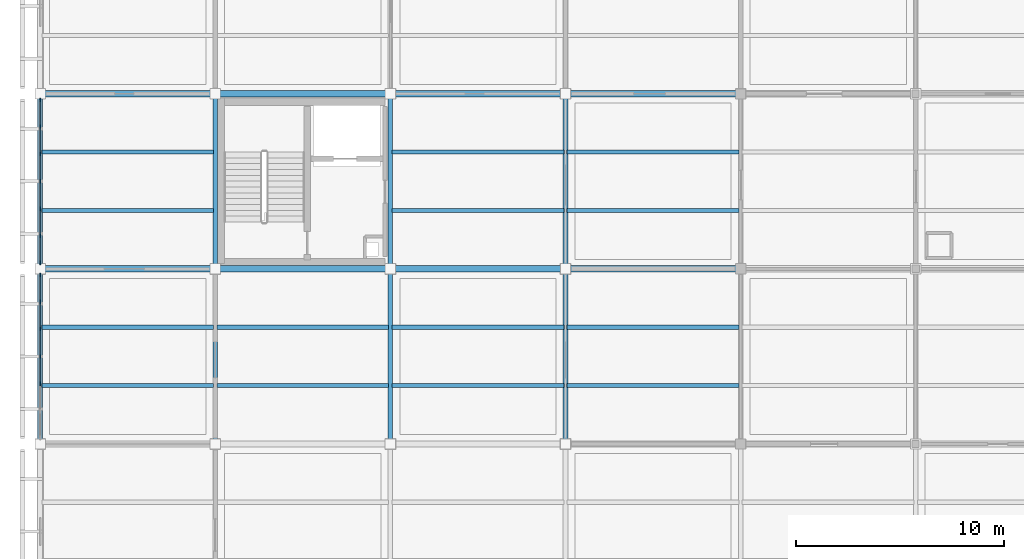
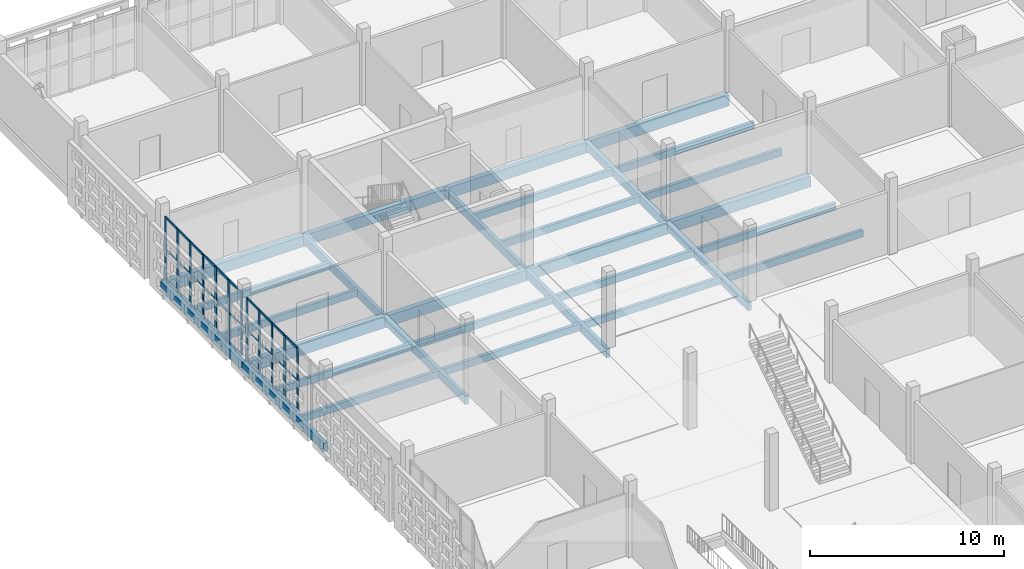
# One storey, part 45 of 203: 42 members, 30 beams, 2 elements without a shape of their own.
"""IFC4 building model written with IfcOpenShell, lengths in metres."""

from ifc_helpers import new_model, si_unit, direction, frame, origin, origin_2d, place, context, subcontext, project, spatial, rectangle, extrude, material, layer, layer_set, material_profile, profile_set, type_object, element, aggregate, save


model = new_model("IFC4")

# Units and contexts
model_context = context("Model", 3, precision=1e-05, world=origin(), true_north=direction((0.0, 1.0)))
body_context = subcontext(model_context, "Body", "Model", "MODEL_VIEW")
ifc_project = project(units=[si_unit("LENGTHUNIT", "METRE"), si_unit("AREAUNIT", "SQUARE_METRE"), si_unit("VOLUMEUNIT", "CUBIC_METRE"), si_unit("PLANEANGLEUNIT", "RADIAN"), si_unit("MASSUNIT", "GRAM", prefix="KILO")], contexts=[model_context])

# Site, building, storey
site_placement = place(None, origin())
site = spatial("IfcSite", under=ifc_project, at=site_placement, CompositionType="ELEMENT")
building_placement = place(site_placement, origin())
building = spatial("IfcBuilding", under=site, at=building_placement, Name="Varnapada Polytechnic", CompositionType="ELEMENT")
storey_placement = place(building_placement, frame((0.0, 0.0, 4.800048828125)))
storey = spatial("IfcBuildingStorey", under=building, at=storey_placement, Name="L01", CompositionType="ELEMENT", Elevation=4.800048828125)

# Beams
ifc_material_1 = material(Name="Glulam GL32h", Category="wood")
ifc_material_profile_1 = material_profile(ifc_material_1, rectangle(XDim=0.199951171875, YDim=0.43994140625, at=origin_2d()), Name="GL 200x440")
ifc_profile_set_1 = profile_set([ifc_material_profile_1], Name="Glulam GL32h")
beam_type_1 = type_object("IfcBeamType", Name="Heavy laboratory glulam joist GJ-03 (GL 200x440)", PredefinedType="JOIST", material=ifc_profile_set_1)
for number, where, z_axis, x_axis, name in (
    (1, (0.080078125, 95.199951171875, -0.469970703125), (1.0, 0.0, 0.0), (0.0, 1.0, 0.0), "L01 floor joist 1/12.1"),
    (2, (0.080078125, 98.0, -0.469970703125), (1.0, 0.0, 0.0), (0.0, 1.0, 0.0), "L01 floor joist 1/12.2"),
    (3, (0.080078125, 103.60009765625, -0.469970703125), (1.0, 0.0, 0.0), (0.0, 1.0, 0.0), "L01 floor joist 1/13.1"),
    (4, (0.080078125, 106.39990234375, -0.469970703125), (1.0, 0.0, 0.0), (0.0, 1.0, 0.0), "L01 floor joist 1/13.2"),
    (5, (8.47998046875, 95.199951171875, -0.469970703125), (1.0, 0.0, 0.0), (0.0, 1.0, 0.0), "L01 floor joist 2/12.1"),
    (6, (8.47998046875, 98.0, -0.469970703125), (1.0, 0.0, 0.0), (0.0, 1.0, 0.0), "L01 floor joist 2/12.2"),
):
    element("IfcBeam", number, at=place(storey_placement, frame(where, z_axis=z_axis, x_axis=x_axis)), inside=storey, type_object=beam_type_1, Name=name, PredefinedType="JOIST", context=body_context, shape_type="SweptSolid", body=[
        extrude(rectangle(XDim=0.199951171875, YDim=0.43994140625, at=origin_2d()), origin(), (0.0, 0.0, 1.0), 8.239990234375),
    ])
for number, where, z_axis, x_axis, name in (
    (7, (16.8798828125, 95.199951171875, -0.469970703125), (1.0, 0.0, 0.0), (0.0, 1.0, 0.0), "L01 floor joist 3/12.1"),
    (8, (16.8798828125, 98.0, -0.469970703125), (1.0, 0.0, 0.0), (0.0, 1.0, 0.0), "L01 floor joist 3/12.2"),
    (9, (16.8798828125, 103.60009765625, -0.469970703125), (1.0, 0.0, 0.0), (0.0, 1.0, 0.0), "L01 floor joist 3/13.1"),
    (10, (16.8798828125, 106.39990234375, -0.469970703125), (1.0, 0.0, 0.0), (0.0, 1.0, 0.0), "L01 floor joist 3/13.2"),
):
    element("IfcBeam", number, at=place(storey_placement, frame(where, z_axis=z_axis, x_axis=x_axis)), inside=storey, type_object=beam_type_1, Name=name, PredefinedType="JOIST", context=body_context, shape_type="SweptSolid", body=[
        extrude(rectangle(XDim=0.199951171875, YDim=0.43994140625, at=origin_2d()), origin(), (0.0, 0.0, 1.0), 8.240234375),
    ])
for number, where, z_axis, x_axis, name in (
    (11, (25.280029296875, 95.199951171875, -0.469970703125), (1.0, 0.0, 0.0), (0.0, 1.0, 0.0), "L01 floor joist 4/12.1"),
    (12, (25.280029296875, 98.0, -0.469970703125), (1.0, 0.0, 0.0), (0.0, 1.0, 0.0), "L01 floor joist 4/12.2"),
    (13, (25.280029296875, 103.60009765625, -0.469970703125), (1.0, 0.0, 0.0), (0.0, 1.0, 0.0), "L01 floor joist 4/13.1"),
    (14, (25.280029296875, 106.39990234375, -0.469970703125), (1.0, 0.0, 0.0), (0.0, 1.0, 0.0), "L01 floor joist 4/13.2"),
):
    element("IfcBeam", number, at=place(storey_placement, frame(where, z_axis=z_axis, x_axis=x_axis)), inside=storey, type_object=beam_type_1, Name=name, PredefinedType="JOIST", context=body_context, shape_type="SweptSolid", body=[
        extrude(rectangle(XDim=0.199951171875, YDim=0.43994140625, at=origin_2d()), origin(), (0.0, 0.0, 1.0), 8.239990234375),
    ])
ifc_material_profile_2 = material_profile(ifc_material_1, rectangle(XDim=0.219970703125, YDim=0.52001953125, at=origin_2d()), Name="GL 220x520")
ifc_profile_set_2 = profile_set([ifc_material_profile_2], Name="Glulam GL32h")
beam_type_2 = type_object("IfcBeamType", Name="Laboratory transverse glulam beam GB-12 (GL 220x520)", PredefinedType="BEAM", material=ifc_profile_set_2)
beam_1_placement = place(storey_placement, frame((8.39990234375, 92.39990234375, -0.510009765625), z_axis=(0.0, 1.0, 0.0), x_axis=(-1.0, 0.0, 0.0)))
element("IfcBeam", 15, at=beam_1_placement, inside=storey, type_object=beam_type_2, Name="L01 beam Y 12-13 at X2", PredefinedType="BEAM", context=body_context, shape_type="SweptSolid", body=[
    extrude(rectangle(XDim=0.219970703125, YDim=0.52001953125, at=origin_2d()), origin(), (0.0, 0.0, 1.0), 8.400146484375),
])
beam_2_placement = place(storey_placement, frame((8.39990234375, 100.800048828125, -0.510009765625), z_axis=(0.0, 1.0, 0.0), x_axis=(-1.0, 0.0, 0.0)))
element("IfcBeam", 16, at=beam_2_placement, inside=storey, type_object=beam_type_2, Name="L01 beam Y 13-14 at X2", PredefinedType="BEAM", context=body_context, shape_type="SweptSolid", body=[
    extrude(rectangle(XDim=0.219970703125, YDim=0.52001953125, at=origin_2d()), origin(), (0.0, 0.0, 1.0), 8.39990234375),
])
beam_3_placement = place(storey_placement, frame((16.800048828125, 92.39990234375, -0.510009765625), z_axis=(0.0, 1.0, 0.0), x_axis=(-1.0, 0.0, 0.0)))
element("IfcBeam", 17, at=beam_3_placement, inside=storey, type_object=beam_type_2, Name="L01 beam Y 12-13 at X3", PredefinedType="BEAM", context=body_context, shape_type="SweptSolid", body=[
    extrude(rectangle(XDim=0.219970703125, YDim=0.52001953125, at=origin_2d()), origin(), (0.0, 0.0, 1.0), 8.400146484375),
])
beam_4_placement = place(storey_placement, frame((16.800048828125, 100.800048828125, -0.510009765625), z_axis=(0.0, 1.0, 0.0), x_axis=(-1.0, 0.0, 0.0)))
element("IfcBeam", 18, at=beam_4_placement, inside=storey, type_object=beam_type_2, Name="L01 beam Y 13-14 at X3", PredefinedType="BEAM", context=body_context, shape_type="SweptSolid", body=[
    extrude(rectangle(XDim=0.219970703125, YDim=0.52001953125, at=origin_2d()), origin(), (0.0, 0.0, 1.0), 8.39990234375),
])
beam_5_placement = place(storey_placement, frame((25.199951171875, 92.39990234375, -0.510009765625), z_axis=(0.0, 1.0, 0.0), x_axis=(-1.0, 0.0, 0.0)))
element("IfcBeam", 19, at=beam_5_placement, inside=storey, type_object=beam_type_2, Name="L01 beam Y 12-13 at X4", PredefinedType="BEAM", context=body_context, shape_type="SweptSolid", body=[
    extrude(rectangle(XDim=0.219970703125, YDim=0.52001953125, at=origin_2d()), origin(), (0.0, 0.0, 1.0), 8.400146484375),
])
beam_6_placement = place(storey_placement, frame((25.199951171875, 100.800048828125, -0.510009765625), z_axis=(0.0, 1.0, 0.0), x_axis=(-1.0, 0.0, 0.0)))
element("IfcBeam", 20, at=beam_6_placement, inside=storey, type_object=beam_type_2, Name="L01 beam Y 13-14 at X4", PredefinedType="BEAM", context=body_context, shape_type="SweptSolid", body=[
    extrude(rectangle(XDim=0.219970703125, YDim=0.52001953125, at=origin_2d()), origin(), (0.0, 0.0, 1.0), 8.39990234375),
])

# Curtain wall, members
ifc_material_2 = material(Name="Double low-E laminated glass", Category="glass")
ifc_layer = layer(ifc_material_2, 0.179931640625)
ifc_layer_set = layer_set([ifc_layer], Name="Double low-E laminated glass")
curtain_wall_type = type_object("IfcCurtainWallType", Name="Curtain Wall CW-03", PredefinedType="NOTDEFINED", material=ifc_layer_set)
curtain_wall_1_placement = place(storey_placement, origin())
curtain_wall_1 = element("IfcCurtainWall", 21, at=curtain_wall_1_placement, inside=storey, type_object=curtain_wall_type, Name="L01 unitised curtain wall CW-03 (24)", PredefinedType="NOTDEFINED")
ifc_material_3 = material(Name="Anodised aluminium", Category="aluminium")
ifc_material_profile_3 = material_profile(ifc_material_3, rectangle(XDim=0.06494140625, YDim=0.179931640625, at=origin_2d()), Name="ALU M65x180")
ifc_profile_set_3 = profile_set([ifc_material_profile_3], Name="Anodised aluminium")
member_type_1 = type_object("IfcMemberType", Name="Mullion M-02", PredefinedType="MULLION", material=ifc_profile_set_3)
member_1_placement = place(storey_placement, frame((0.0, 95.28662109375, 0.0), z_axis=(0.0, 0.0, 1.0), x_axis=(-1.0, 0.0, 0.0)))
member_1 = element("IfcMember", 22, at=member_1_placement, type_object=member_type_1, Name="CW-03 mullion 3", PredefinedType="MULLION", context=body_context, shape_type="SweptSolid", body=[
    extrude(rectangle(XDim=0.06494140625, YDim=0.179931640625, at=origin_2d()), origin(), (0.0, 0.0, 1.0), 3.9599609375),
])
member_2_placement = place(storey_placement, frame((0.0, 96.60009765625, 0.0), z_axis=(0.0, 0.0, 1.0), x_axis=(-1.0, 0.0, 0.0)))
member_2 = element("IfcMember", 23, at=member_2_placement, type_object=member_type_1, Name="CW-03 mullion 4", PredefinedType="MULLION", context=body_context, shape_type="SweptSolid", body=[
    extrude(rectangle(XDim=0.06494140625, YDim=0.179931640625, at=origin_2d()), origin(), (0.0, 0.0, 1.0), 3.9599609375),
])
member_3_placement = place(storey_placement, frame((0.0, 97.913330078125, 0.0), z_axis=(0.0, 0.0, 1.0), x_axis=(-1.0, 0.0, 0.0)))
member_3 = element("IfcMember", 24, at=member_3_placement, type_object=member_type_1, Name="CW-03 mullion 5", PredefinedType="MULLION", context=body_context, shape_type="SweptSolid", body=[
    extrude(rectangle(XDim=0.06494140625, YDim=0.179931640625, at=origin_2d()), origin(), (0.0, 0.0, 1.0), 3.9599609375),
])
member_4_placement = place(storey_placement, frame((0.0, 99.2265625, 0.0), z_axis=(0.0, 0.0, 1.0), x_axis=(-1.0, 0.0, 0.0)))
member_4 = element("IfcMember", 25, at=member_4_placement, type_object=member_type_1, Name="CW-03 mullion 6", PredefinedType="MULLION", context=body_context, shape_type="SweptSolid", body=[
    extrude(rectangle(XDim=0.06494140625, YDim=0.179931640625, at=origin_2d()), origin(), (0.0, 0.0, 1.0), 3.9599609375),
])
member_5_placement = place(storey_placement, frame((0.0, 100.507568359375, 0.0), z_axis=(0.0, 0.0, 1.0), x_axis=(-1.0, 0.0, 0.0)))
member_5 = element("IfcMember", 26, at=member_5_placement, type_object=member_type_1, Name="CW-03 mullion 7", PredefinedType="MULLION", context=body_context, shape_type="SweptSolid", body=[
    extrude(rectangle(XDim=0.06494140625, YDim=0.179931640625, at=origin_2d()), origin(), (0.0, 0.0, 1.0), 3.9599609375),
])

curtain_wall_2_placement = place(storey_placement, origin())
curtain_wall_2 = element("IfcCurtainWall", 27, at=curtain_wall_2_placement, inside=storey, type_object=curtain_wall_type, Name="L01 unitised curtain wall CW-03 (25)", PredefinedType="NOTDEFINED")
member_6_placement = place(storey_placement, frame((0.0, 101.092529296875, 0.0), z_axis=(0.0, 0.0, 1.0), x_axis=(-1.0, 0.0, 0.0)))
member_6 = element("IfcMember", 28, at=member_6_placement, type_object=member_type_1, Name="CW-03 mullion 1", PredefinedType="MULLION", context=body_context, shape_type="SweptSolid", body=[
    extrude(rectangle(XDim=0.06494140625, YDim=0.179931640625, at=origin_2d()), origin(), (0.0, 0.0, 1.0), 3.9599609375),
])
member_7_placement = place(storey_placement, frame((0.0, 102.373291015625, 0.0), z_axis=(0.0, 0.0, 1.0), x_axis=(-1.0, 0.0, 0.0)))
member_7 = element("IfcMember", 29, at=member_7_placement, type_object=member_type_1, Name="CW-03 mullion 2", PredefinedType="MULLION", context=body_context, shape_type="SweptSolid", body=[
    extrude(rectangle(XDim=0.06494140625, YDim=0.179931640625, at=origin_2d()), origin(), (0.0, 0.0, 1.0), 3.9599609375),
])
member_8_placement = place(storey_placement, frame((0.0, 103.686767578125, 0.0), z_axis=(0.0, 0.0, 1.0), x_axis=(-1.0, 0.0, 0.0)))
member_8 = element("IfcMember", 30, at=member_8_placement, type_object=member_type_1, Name="CW-03 mullion 3", PredefinedType="MULLION", context=body_context, shape_type="SweptSolid", body=[
    extrude(rectangle(XDim=0.06494140625, YDim=0.179931640625, at=origin_2d()), origin(), (0.0, 0.0, 1.0), 3.9599609375),
])
member_9_placement = place(storey_placement, frame((0.0, 105.0, 0.0), z_axis=(0.0, 0.0, 1.0), x_axis=(-1.0, 0.0, 0.0)))
member_9 = element("IfcMember", 31, at=member_9_placement, type_object=member_type_1, Name="CW-03 mullion 4", PredefinedType="MULLION", context=body_context, shape_type="SweptSolid", body=[
    extrude(rectangle(XDim=0.06494140625, YDim=0.179931640625, at=origin_2d()), origin(), (0.0, 0.0, 1.0), 3.9599609375),
])
member_10_placement = place(storey_placement, frame((0.0, 106.313232421875, 0.0), z_axis=(0.0, 0.0, 1.0), x_axis=(-1.0, 0.0, 0.0)))
member_10 = element("IfcMember", 32, at=member_10_placement, type_object=member_type_1, Name="CW-03 mullion 5", PredefinedType="MULLION", context=body_context, shape_type="SweptSolid", body=[
    extrude(rectangle(XDim=0.06494140625, YDim=0.179931640625, at=origin_2d()), origin(), (0.0, 0.0, 1.0), 3.9599609375),
])
member_11_placement = place(storey_placement, frame((0.0, 107.626708984375, 0.0), z_axis=(0.0, 0.0, 1.0), x_axis=(-1.0, 0.0, 0.0)))
member_11 = element("IfcMember", 33, at=member_11_placement, type_object=member_type_1, Name="CW-03 mullion 6", PredefinedType="MULLION", context=body_context, shape_type="SweptSolid", body=[
    extrude(rectangle(XDim=0.06494140625, YDim=0.179931640625, at=origin_2d()), origin(), (0.0, 0.0, 1.0), 3.9599609375),
])
member_12_placement = place(storey_placement, frame((0.0, 108.907470703125, 0.0), z_axis=(0.0, 0.0, 1.0), x_axis=(-1.0, 0.0, 0.0)))
member_12 = element("IfcMember", 34, at=member_12_placement, type_object=member_type_1, Name="CW-03 mullion 7", PredefinedType="MULLION", context=body_context, shape_type="SweptSolid", body=[
    extrude(rectangle(XDim=0.06494140625, YDim=0.179931640625, at=origin_2d()), origin(), (0.0, 0.0, 1.0), 3.9599609375),
])

# Beams
ifc_material_profile_4 = material_profile(ifc_material_1, rectangle(XDim=0.239990234375, YDim=0.56005859375, at=origin_2d()), Name="GL 240x560")
ifc_profile_set_4 = profile_set([ifc_material_profile_4], Name="Glulam GL32h")
beam_type_3 = type_object("IfcBeamType", Name="Perimeter glulam spandrel beam SP-02 (GL 240x560)", PredefinedType="SPANDREL", material=ifc_profile_set_4)
beam_7_placement = place(storey_placement, frame((0.0, 92.39990234375, -0.530029296875), z_axis=(0.0, 1.0, 0.0), x_axis=(-1.0, 0.0, 0.0)))
element("IfcBeam", 35, at=beam_7_placement, inside=storey, type_object=beam_type_3, Name="L01 beam Y 12-13 at X1", PredefinedType="SPANDREL", context=body_context, shape_type="SweptSolid", body=[
    extrude(rectangle(XDim=0.239990234375, YDim=0.56005859375, at=origin_2d()), origin(), (0.0, 0.0, 1.0), 8.400146484375),
])
beam_8_placement = place(storey_placement, frame((0.0, 100.800048828125, -0.530029296875), z_axis=(0.0, 1.0, 0.0), x_axis=(-1.0, 0.0, 0.0)))
element("IfcBeam", 36, at=beam_8_placement, inside=storey, type_object=beam_type_3, Name="L01 beam Y 13-14 at X1", PredefinedType="SPANDREL", context=body_context, shape_type="SweptSolid", body=[
    extrude(rectangle(XDim=0.239990234375, YDim=0.56005859375, at=origin_2d()), origin(), (0.0, 0.0, 1.0), 8.39990234375),
])

# Member
ifc_material_profile_5 = material_profile(ifc_material_3, rectangle(XDim=0.06494140625, YDim=0.139892578125, at=origin_2d()), Name="ALU T65x140")
ifc_profile_set_5 = profile_set([ifc_material_profile_5], Name="Anodised aluminium")
member_type_2 = type_object("IfcMemberType", Name="Transom T-02", PredefinedType="USERDEFINED", material=ifc_profile_set_5)
member_13_placement = place(storey_placement, frame((0.0, 95.319091796875, 0.032470703125), z_axis=(0.0, 1.0, 0.0), x_axis=(-1.0, 0.0, 0.0)))
member_13 = element("IfcMember", 37, at=member_13_placement, type_object=member_type_2, Name="CW-03 transom 3.1", ObjectType="TRANSOM", PredefinedType="USERDEFINED", context=body_context, shape_type="SweptSolid", body=[
    extrude(rectangle(XDim=0.06494140625, YDim=0.139892578125, at=origin_2d()), origin(), (0.0, 0.0, 1.0), 1.248291015625),
])

member_14_placement = place(storey_placement, frame((0.0, 95.319091796875, 1.900634765625), z_axis=(0.0, 1.0, 0.0), x_axis=(-1.0, 0.0, 0.0)))
member_14 = element("IfcMember", 38, at=member_14_placement, type_object=member_type_2, Name="CW-03 transom 3.2", ObjectType="TRANSOM", PredefinedType="USERDEFINED", context=body_context, shape_type="SweptSolid", body=[
    extrude(rectangle(XDim=0.06494140625, YDim=0.139892578125, at=origin_2d()), origin(), (0.0, 0.0, 1.0), 1.248291015625),
])

member_15_placement = place(storey_placement, frame((0.0, 95.319091796875, 3.927490234375), z_axis=(0.0, 1.0, 0.0), x_axis=(-1.0, 0.0, 0.0)))
member_15 = element("IfcMember", 39, at=member_15_placement, type_object=member_type_2, Name="CW-03 transom 3.3", ObjectType="TRANSOM", PredefinedType="USERDEFINED", context=body_context, shape_type="SweptSolid", body=[
    extrude(rectangle(XDim=0.06494140625, YDim=0.139892578125, at=origin_2d()), origin(), (0.0, 0.0, 1.0), 1.248291015625),
])

member_16_placement = place(storey_placement, frame((0.0, 96.632568359375, 0.032470703125), z_axis=(0.0, 1.0, 0.0), x_axis=(-1.0, 0.0, 0.0)))
member_16 = element("IfcMember", 40, at=member_16_placement, type_object=member_type_2, Name="CW-03 transom 4.1", ObjectType="TRANSOM", PredefinedType="USERDEFINED", context=body_context, shape_type="SweptSolid", body=[
    extrude(rectangle(XDim=0.06494140625, YDim=0.139892578125, at=origin_2d()), origin(), (0.0, 0.0, 1.0), 1.248291015625),
])

member_17_placement = place(storey_placement, frame((0.0, 96.632568359375, 1.900634765625), z_axis=(0.0, 1.0, 0.0), x_axis=(-1.0, 0.0, 0.0)))
member_17 = element("IfcMember", 41, at=member_17_placement, type_object=member_type_2, Name="CW-03 transom 4.2", ObjectType="TRANSOM", PredefinedType="USERDEFINED", context=body_context, shape_type="SweptSolid", body=[
    extrude(rectangle(XDim=0.06494140625, YDim=0.139892578125, at=origin_2d()), origin(), (0.0, 0.0, 1.0), 1.248291015625),
])

member_18_placement = place(storey_placement, frame((0.0, 96.632568359375, 3.927490234375), z_axis=(0.0, 1.0, 0.0), x_axis=(-1.0, 0.0, 0.0)))
member_18 = element("IfcMember", 42, at=member_18_placement, type_object=member_type_2, Name="CW-03 transom 4.3", ObjectType="TRANSOM", PredefinedType="USERDEFINED", context=body_context, shape_type="SweptSolid", body=[
    extrude(rectangle(XDim=0.06494140625, YDim=0.139892578125, at=origin_2d()), origin(), (0.0, 0.0, 1.0), 1.248291015625),
])

member_19_placement = place(storey_placement, frame((0.0, 97.94580078125, 0.032470703125), z_axis=(0.0, 1.0, 0.0), x_axis=(-1.0, 0.0, 0.0)))
member_19 = element("IfcMember", 43, at=member_19_placement, type_object=member_type_2, Name="CW-03 transom 5.1", ObjectType="TRANSOM", PredefinedType="USERDEFINED", context=body_context, shape_type="SweptSolid", body=[
    extrude(rectangle(XDim=0.06494140625, YDim=0.139892578125, at=origin_2d()), origin(), (0.0, 0.0, 1.0), 1.248291015625),
])

member_20_placement = place(storey_placement, frame((0.0, 97.94580078125, 1.900634765625), z_axis=(0.0, 1.0, 0.0), x_axis=(-1.0, 0.0, 0.0)))
member_20 = element("IfcMember", 44, at=member_20_placement, type_object=member_type_2, Name="CW-03 transom 5.2", ObjectType="TRANSOM", PredefinedType="USERDEFINED", context=body_context, shape_type="SweptSolid", body=[
    extrude(rectangle(XDim=0.06494140625, YDim=0.139892578125, at=origin_2d()), origin(), (0.0, 0.0, 1.0), 1.248291015625),
])

member_21_placement = place(storey_placement, frame((0.0, 97.94580078125, 3.927490234375), z_axis=(0.0, 1.0, 0.0), x_axis=(-1.0, 0.0, 0.0)))
member_21 = element("IfcMember", 45, at=member_21_placement, type_object=member_type_2, Name="CW-03 transom 5.3", ObjectType="TRANSOM", PredefinedType="USERDEFINED", context=body_context, shape_type="SweptSolid", body=[
    extrude(rectangle(XDim=0.06494140625, YDim=0.139892578125, at=origin_2d()), origin(), (0.0, 0.0, 1.0), 1.248291015625),
])

member_22_placement = place(storey_placement, frame((0.0, 99.25927734375, 0.032470703125), z_axis=(0.0, 1.0, 0.0), x_axis=(-1.0, 0.0, 0.0)))
member_22 = element("IfcMember", 46, at=member_22_placement, type_object=member_type_2, Name="CW-03 transom 6.1", ObjectType="TRANSOM", PredefinedType="USERDEFINED", context=body_context, shape_type="SweptSolid", body=[
    extrude(rectangle(XDim=0.06494140625, YDim=0.139892578125, at=origin_2d()), origin(), (0.0, 0.0, 1.0), 1.2158203125),
])

member_23_placement = place(storey_placement, frame((0.0, 99.25927734375, 1.900634765625), z_axis=(0.0, 1.0, 0.0), x_axis=(-1.0, 0.0, 0.0)))
member_23 = element("IfcMember", 47, at=member_23_placement, type_object=member_type_2, Name="CW-03 transom 6.2", ObjectType="TRANSOM", PredefinedType="USERDEFINED", context=body_context, shape_type="SweptSolid", body=[
    extrude(rectangle(XDim=0.06494140625, YDim=0.139892578125, at=origin_2d()), origin(), (0.0, 0.0, 1.0), 1.2158203125),
])

member_24_placement = place(storey_placement, frame((0.0, 99.25927734375, 3.927490234375), z_axis=(0.0, 1.0, 0.0), x_axis=(-1.0, 0.0, 0.0)))
member_24 = element("IfcMember", 48, at=member_24_placement, type_object=member_type_2, Name="CW-03 transom 6.3", ObjectType="TRANSOM", PredefinedType="USERDEFINED", context=body_context, shape_type="SweptSolid", body=[
    extrude(rectangle(XDim=0.06494140625, YDim=0.139892578125, at=origin_2d()), origin(), (0.0, 0.0, 1.0), 1.2158203125),
])

aggregate(curtain_wall_1, [member_1, member_2, member_3, member_4, member_5, member_13, member_14, member_15, member_16, member_17, member_18, member_19, member_20, member_21, member_22, member_23, member_24])

member_25_placement = place(storey_placement, frame((0.0, 101.125, 0.032470703125), z_axis=(0.0, 1.0, 0.0), x_axis=(-1.0, 0.0, 0.0)))
member_25 = element("IfcMember", 49, at=member_25_placement, type_object=member_type_2, Name="CW-03 transom 1.1", ObjectType="TRANSOM", PredefinedType="USERDEFINED", context=body_context, shape_type="SweptSolid", body=[
    extrude(rectangle(XDim=0.06494140625, YDim=0.139892578125, at=origin_2d()), origin(), (0.0, 0.0, 1.0), 1.2158203125),
])

member_26_placement = place(storey_placement, frame((0.0, 101.125, 1.900634765625), z_axis=(0.0, 1.0, 0.0), x_axis=(-1.0, 0.0, 0.0)))
member_26 = element("IfcMember", 50, at=member_26_placement, type_object=member_type_2, Name="CW-03 transom 1.2", ObjectType="TRANSOM", PredefinedType="USERDEFINED", context=body_context, shape_type="SweptSolid", body=[
    extrude(rectangle(XDim=0.06494140625, YDim=0.139892578125, at=origin_2d()), origin(), (0.0, 0.0, 1.0), 1.2158203125),
])

member_27_placement = place(storey_placement, frame((0.0, 101.125, 3.927490234375), z_axis=(0.0, 1.0, 0.0), x_axis=(-1.0, 0.0, 0.0)))
member_27 = element("IfcMember", 51, at=member_27_placement, type_object=member_type_2, Name="CW-03 transom 1.3", ObjectType="TRANSOM", PredefinedType="USERDEFINED", context=body_context, shape_type="SweptSolid", body=[
    extrude(rectangle(XDim=0.06494140625, YDim=0.139892578125, at=origin_2d()), origin(), (0.0, 0.0, 1.0), 1.2158203125),
])

member_28_placement = place(storey_placement, frame((0.0, 102.40576171875, 0.032470703125), z_axis=(0.0, 1.0, 0.0), x_axis=(-1.0, 0.0, 0.0)))
member_28 = element("IfcMember", 52, at=member_28_placement, type_object=member_type_2, Name="CW-03 transom 2.1", ObjectType="TRANSOM", PredefinedType="USERDEFINED", context=body_context, shape_type="SweptSolid", body=[
    extrude(rectangle(XDim=0.06494140625, YDim=0.139892578125, at=origin_2d()), origin(), (0.0, 0.0, 1.0), 1.248291015625),
])

member_29_placement = place(storey_placement, frame((0.0, 102.40576171875, 1.900634765625), z_axis=(0.0, 1.0, 0.0), x_axis=(-1.0, 0.0, 0.0)))
member_29 = element("IfcMember", 53, at=member_29_placement, type_object=member_type_2, Name="CW-03 transom 2.2", ObjectType="TRANSOM", PredefinedType="USERDEFINED", context=body_context, shape_type="SweptSolid", body=[
    extrude(rectangle(XDim=0.06494140625, YDim=0.139892578125, at=origin_2d()), origin(), (0.0, 0.0, 1.0), 1.248291015625),
])

member_30_placement = place(storey_placement, frame((0.0, 102.40576171875, 3.927490234375), z_axis=(0.0, 1.0, 0.0), x_axis=(-1.0, 0.0, 0.0)))
member_30 = element("IfcMember", 54, at=member_30_placement, type_object=member_type_2, Name="CW-03 transom 2.3", ObjectType="TRANSOM", PredefinedType="USERDEFINED", context=body_context, shape_type="SweptSolid", body=[
    extrude(rectangle(XDim=0.06494140625, YDim=0.139892578125, at=origin_2d()), origin(), (0.0, 0.0, 1.0), 1.248291015625),
])

member_31_placement = place(storey_placement, frame((0.0, 103.71923828125, 0.032470703125), z_axis=(0.0, 1.0, 0.0), x_axis=(-1.0, 0.0, 0.0)))
member_31 = element("IfcMember", 55, at=member_31_placement, type_object=member_type_2, Name="CW-03 transom 3.1", ObjectType="TRANSOM", PredefinedType="USERDEFINED", context=body_context, shape_type="SweptSolid", body=[
    extrude(rectangle(XDim=0.06494140625, YDim=0.139892578125, at=origin_2d()), origin(), (0.0, 0.0, 1.0), 1.248291015625),
])

member_32_placement = place(storey_placement, frame((0.0, 103.71923828125, 1.900634765625), z_axis=(0.0, 1.0, 0.0), x_axis=(-1.0, 0.0, 0.0)))
member_32 = element("IfcMember", 56, at=member_32_placement, type_object=member_type_2, Name="CW-03 transom 3.2", ObjectType="TRANSOM", PredefinedType="USERDEFINED", context=body_context, shape_type="SweptSolid", body=[
    extrude(rectangle(XDim=0.06494140625, YDim=0.139892578125, at=origin_2d()), origin(), (0.0, 0.0, 1.0), 1.248291015625),
])

member_33_placement = place(storey_placement, frame((0.0, 103.71923828125, 3.927490234375), z_axis=(0.0, 1.0, 0.0), x_axis=(-1.0, 0.0, 0.0)))
member_33 = element("IfcMember", 57, at=member_33_placement, type_object=member_type_2, Name="CW-03 transom 3.3", ObjectType="TRANSOM", PredefinedType="USERDEFINED", context=body_context, shape_type="SweptSolid", body=[
    extrude(rectangle(XDim=0.06494140625, YDim=0.139892578125, at=origin_2d()), origin(), (0.0, 0.0, 1.0), 1.248291015625),
])

member_34_placement = place(storey_placement, frame((0.0, 105.032470703125, 0.032470703125), z_axis=(0.0, 1.0, 0.0), x_axis=(-1.0, 0.0, 0.0)))
member_34 = element("IfcMember", 58, at=member_34_placement, type_object=member_type_2, Name="CW-03 transom 4.1", ObjectType="TRANSOM", PredefinedType="USERDEFINED", context=body_context, shape_type="SweptSolid", body=[
    extrude(rectangle(XDim=0.06494140625, YDim=0.139892578125, at=origin_2d()), origin(), (0.0, 0.0, 1.0), 1.248291015625),
])

member_35_placement = place(storey_placement, frame((0.0, 105.032470703125, 1.900634765625), z_axis=(0.0, 1.0, 0.0), x_axis=(-1.0, 0.0, 0.0)))
member_35 = element("IfcMember", 59, at=member_35_placement, type_object=member_type_2, Name="CW-03 transom 4.2", ObjectType="TRANSOM", PredefinedType="USERDEFINED", context=body_context, shape_type="SweptSolid", body=[
    extrude(rectangle(XDim=0.06494140625, YDim=0.139892578125, at=origin_2d()), origin(), (0.0, 0.0, 1.0), 1.248291015625),
])

member_36_placement = place(storey_placement, frame((0.0, 105.032470703125, 3.927490234375), z_axis=(0.0, 1.0, 0.0), x_axis=(-1.0, 0.0, 0.0)))
member_36 = element("IfcMember", 60, at=member_36_placement, type_object=member_type_2, Name="CW-03 transom 4.3", ObjectType="TRANSOM", PredefinedType="USERDEFINED", context=body_context, shape_type="SweptSolid", body=[
    extrude(rectangle(XDim=0.06494140625, YDim=0.139892578125, at=origin_2d()), origin(), (0.0, 0.0, 1.0), 1.248291015625),
])

member_37_placement = place(storey_placement, frame((0.0, 106.345947265625, 0.032470703125), z_axis=(0.0, 1.0, 0.0), x_axis=(-1.0, 0.0, 0.0)))
member_37 = element("IfcMember", 61, at=member_37_placement, type_object=member_type_2, Name="CW-03 transom 5.1", ObjectType="TRANSOM", PredefinedType="USERDEFINED", context=body_context, shape_type="SweptSolid", body=[
    extrude(rectangle(XDim=0.06494140625, YDim=0.139892578125, at=origin_2d()), origin(), (0.0, 0.0, 1.0), 1.248291015625),
])

member_38_placement = place(storey_placement, frame((0.0, 106.345947265625, 1.900634765625), z_axis=(0.0, 1.0, 0.0), x_axis=(-1.0, 0.0, 0.0)))
member_38 = element("IfcMember", 62, at=member_38_placement, type_object=member_type_2, Name="CW-03 transom 5.2", ObjectType="TRANSOM", PredefinedType="USERDEFINED", context=body_context, shape_type="SweptSolid", body=[
    extrude(rectangle(XDim=0.06494140625, YDim=0.139892578125, at=origin_2d()), origin(), (0.0, 0.0, 1.0), 1.248291015625),
])

member_39_placement = place(storey_placement, frame((0.0, 106.345947265625, 3.927490234375), z_axis=(0.0, 1.0, 0.0), x_axis=(-1.0, 0.0, 0.0)))
member_39 = element("IfcMember", 63, at=member_39_placement, type_object=member_type_2, Name="CW-03 transom 5.3", ObjectType="TRANSOM", PredefinedType="USERDEFINED", context=body_context, shape_type="SweptSolid", body=[
    extrude(rectangle(XDim=0.06494140625, YDim=0.139892578125, at=origin_2d()), origin(), (0.0, 0.0, 1.0), 1.248291015625),
])

member_40_placement = place(storey_placement, frame((0.0, 107.6591796875, 0.032470703125), z_axis=(0.0, 1.0, 0.0), x_axis=(-1.0, 0.0, 0.0)))
member_40 = element("IfcMember", 64, at=member_40_placement, type_object=member_type_2, Name="CW-03 transom 6.1", ObjectType="TRANSOM", PredefinedType="USERDEFINED", context=body_context, shape_type="SweptSolid", body=[
    extrude(rectangle(XDim=0.06494140625, YDim=0.139892578125, at=origin_2d()), origin(), (0.0, 0.0, 1.0), 1.2158203125),
])

member_41_placement = place(storey_placement, frame((0.0, 107.6591796875, 1.900634765625), z_axis=(0.0, 1.0, 0.0), x_axis=(-1.0, 0.0, 0.0)))
member_41 = element("IfcMember", 65, at=member_41_placement, type_object=member_type_2, Name="CW-03 transom 6.2", ObjectType="TRANSOM", PredefinedType="USERDEFINED", context=body_context, shape_type="SweptSolid", body=[
    extrude(rectangle(XDim=0.06494140625, YDim=0.139892578125, at=origin_2d()), origin(), (0.0, 0.0, 1.0), 1.2158203125),
])

member_42_placement = place(storey_placement, frame((0.0, 107.6591796875, 3.927490234375), z_axis=(0.0, 1.0, 0.0), x_axis=(-1.0, 0.0, 0.0)))
member_42 = element("IfcMember", 66, at=member_42_placement, type_object=member_type_2, Name="CW-03 transom 6.3", ObjectType="TRANSOM", PredefinedType="USERDEFINED", context=body_context, shape_type="SweptSolid", body=[
    extrude(rectangle(XDim=0.06494140625, YDim=0.139892578125, at=origin_2d()), origin(), (0.0, 0.0, 1.0), 1.2158203125),
])

aggregate(curtain_wall_2, [member_6, member_7, member_8, member_9, member_10, member_11, member_12, member_25, member_26, member_27, member_28, member_29, member_30, member_31, member_32, member_33, member_34, member_35, member_36, member_37, member_38, member_39, member_40, member_41, member_42])

# Beams
ifc_material_profile_6 = material_profile(ifc_material_1, rectangle(XDim=0.300048828125, YDim=0.679931640625, at=origin_2d()), Name="GL 300x680")
ifc_profile_set_6 = profile_set([ifc_material_profile_6], Name="Glulam GL32h")
beam_type_4 = type_object("IfcBeamType", Name="Wet laboratory glulam girder GG-04 (GL 300x680)", PredefinedType="BEAM", material=ifc_profile_set_6)
for number, where, z_axis, x_axis, name in (
    (67, (0.0, 100.800048828125, -0.590087890625), (1.0, 0.0, 0.0), (0.0, 1.0, 0.0), "L01 beam X 1-2 at Y13"),
    (68, (0.0, 109.199951171875, -0.590087890625), (1.0, 0.0, 0.0), (0.0, 1.0, 0.0), "L01 beam X 1-2 at Y14"),
):
    element("IfcBeam", number, at=place(storey_placement, frame(where, z_axis=z_axis, x_axis=x_axis)), inside=storey, type_object=beam_type_4, Name=name, PredefinedType="BEAM", context=body_context, shape_type="SweptSolid", body=[
        extrude(rectangle(XDim=0.300048828125, YDim=0.679931640625, at=origin_2d()), origin(), (0.0, 0.0, 1.0), 8.39990234375),
    ])
for number, where, z_axis, x_axis, name in (
    (69, (8.39990234375, 100.800048828125, -0.590087890625), (1.0, 0.0, 0.0), (0.0, 1.0, 0.0), "L01 beam X 2-3 at Y13"),
    (70, (8.39990234375, 109.199951171875, -0.590087890625), (1.0, 0.0, 0.0), (0.0, 1.0, 0.0), "L01 beam X 2-3 at Y14"),
):
    element("IfcBeam", number, at=place(storey_placement, frame(where, z_axis=z_axis, x_axis=x_axis)), inside=storey, type_object=beam_type_4, Name=name, PredefinedType="BEAM", context=body_context, shape_type="SweptSolid", body=[
        extrude(rectangle(XDim=0.300048828125, YDim=0.679931640625, at=origin_2d()), origin(), (0.0, 0.0, 1.0), 8.400146484375),
    ])
for number, where, z_axis, x_axis, name in (
    (71, (16.800048828125, 100.800048828125, -0.590087890625), (1.0, 0.0, 0.0), (0.0, 1.0, 0.0), "L01 beam X 3-4 at Y13"),
    (72, (16.800048828125, 109.199951171875, -0.590087890625), (1.0, 0.0, 0.0), (0.0, 1.0, 0.0), "L01 beam X 3-4 at Y14"),
):
    element("IfcBeam", number, at=place(storey_placement, frame(where, z_axis=z_axis, x_axis=x_axis)), inside=storey, type_object=beam_type_4, Name=name, PredefinedType="BEAM", context=body_context, shape_type="SweptSolid", body=[
        extrude(rectangle(XDim=0.300048828125, YDim=0.679931640625, at=origin_2d()), origin(), (0.0, 0.0, 1.0), 8.39990234375),
    ])
for number, where, z_axis, x_axis, name in (
    (73, (25.199951171875, 100.800048828125, -0.590087890625), (1.0, 0.0, 0.0), (0.0, 1.0, 0.0), "L01 beam X 4-5 at Y13"),
    (74, (25.199951171875, 109.199951171875, -0.590087890625), (1.0, 0.0, 0.0), (0.0, 1.0, 0.0), "L01 beam X 4-5 at Y14"),
):
    element("IfcBeam", number, at=place(storey_placement, frame(where, z_axis=z_axis, x_axis=x_axis)), inside=storey, type_object=beam_type_4, Name=name, PredefinedType="BEAM", context=body_context, shape_type="SweptSolid", body=[
        extrude(rectangle(XDim=0.300048828125, YDim=0.679931640625, at=origin_2d()), origin(), (0.0, 0.0, 1.0), 8.400146484375),
    ])

save(model, "model.ifc")
